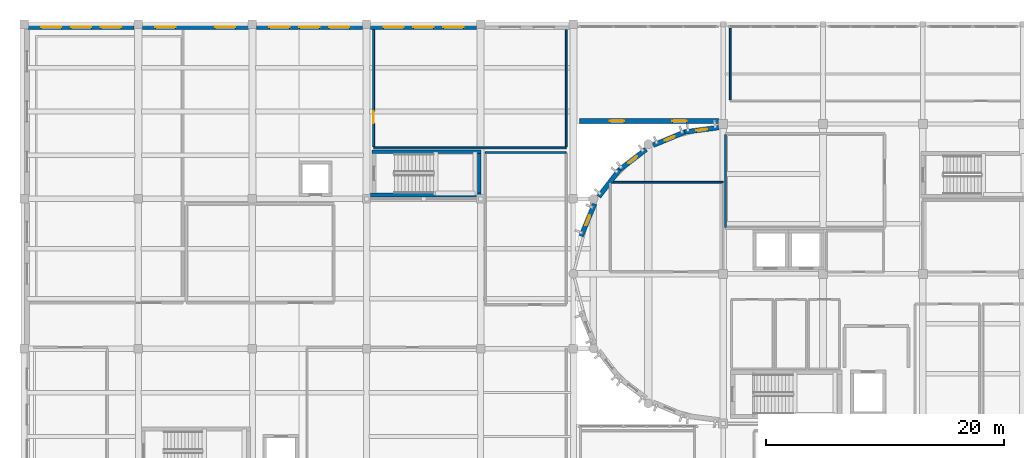
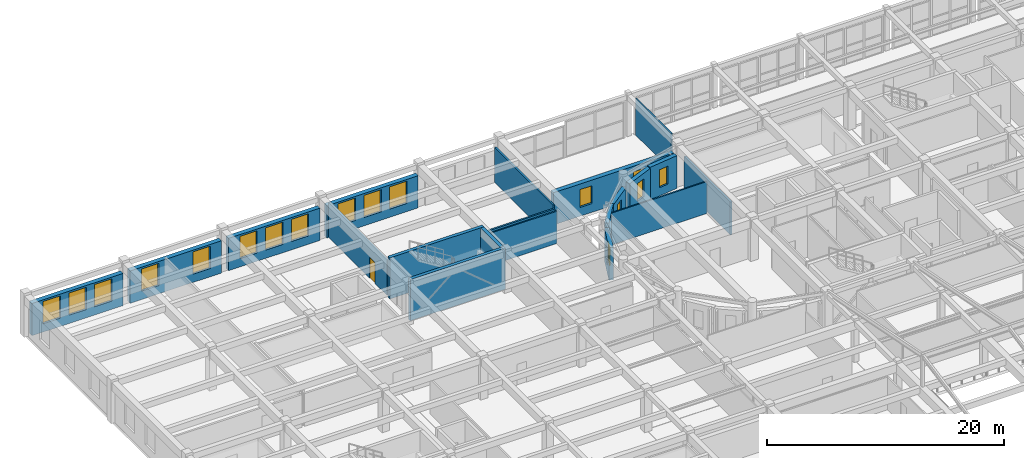
# One storey, part 69 of 91: 20 walls, 17 windows, 1 door, 18 openings.
"""IFC4 building model written with IfcOpenShell, lengths in metres."""

from ifc_helpers import new_model, si_unit, direction, frame, frame_2d, origin, place, context, subcontext, project, spatial, rectangle, extrude, material, layer, layer_set, type_object, element, fill, save


model = new_model("IFC4")

# Units and contexts
model_context = context("Model", 3, precision=1e-05, world=origin(), true_north=direction((0.0, 1.0)))
body_context = subcontext(model_context, "Body", "Model", "MODEL_VIEW")
ifc_project = project(units=[si_unit("LENGTHUNIT", "METRE"), si_unit("AREAUNIT", "SQUARE_METRE"), si_unit("VOLUMEUNIT", "CUBIC_METRE"), si_unit("PLANEANGLEUNIT", "RADIAN"), si_unit("MASSUNIT", "GRAM", prefix="KILO")], contexts=[model_context])

# Site, building, storey
site_placement = place(None, origin())
site = spatial("IfcSite", under=ifc_project, at=site_placement, CompositionType="ELEMENT")
building_placement = place(site_placement, origin())
building = spatial("IfcBuilding", under=site, at=building_placement, Name="Tarnavel Promenade Courthouse", CompositionType="ELEMENT")
storey_placement = place(building_placement, frame((0.0, 0.0, 9.89990234375)))
storey = spatial("IfcBuildingStorey", under=building, at=storey_placement, Name="L03", CompositionType="ELEMENT", Elevation=9.89990234375)

# Wall
ifc_material_1 = material(Name="Acoustic Insulated Gypsum Stud Partition", Category="gypsum")
ifc_layer_1 = layer(ifc_material_1, 0.1650390625)
ifc_layer_set_1 = layer_set([ifc_layer_1], Name="Acoustic Insulated Gypsum Stud Partition")
wall_type_1 = type_object("IfcWallType", Name="Acoustic Insulated Gypsum Stud Partition WL-CHM-165 (165 mm)", PredefinedType="PARTITIONING", material=ifc_layer_set_1)
wall_1_placement = place(storey_placement, frame((45.60009765625, 102.39990234375, 0.0), z_axis=(0.0, 0.0, 1.0), x_axis=(-1.0, 0.0, 0.0)))
element("IfcWall", 1, at=wall_1_placement, inside=storey, type_object=wall_type_1, Name="L03 Sequestered Jury Room Partition 0438", PredefinedType="PARTITIONING", context=body_context, shape_type="SweptSolid", body=[
    extrude(rectangle(XDim=16.2001953125, YDim=0.1650390625, at=frame_2d((8.10009765625, 0.0))), origin(), (0.0, 0.0, 1.0), 3.330078125),
])

# Wall, opening, door
wall_2_placement = place(storey_placement, frame((29.39990234375, 102.492431640625, 0.0), z_axis=(0.0, 0.0, 1.0), x_axis=(0.0, 1.0, 0.0)))
wall_2 = element("IfcWall", 2, at=wall_2_placement, inside=storey, type_object=wall_type_1, Name="L03 Sequestered Jury Room Partition 0439", PredefinedType="PARTITIONING", context=body_context, shape_type="SweptSolid", body=[
    extrude(rectangle(XDim=9.853515625, YDim=0.1650390625, at=frame_2d((4.9267578125, 0.0))), origin(), (0.0, 0.0, 1.0), 3.630126953125),
])
opening_1_placement = place(wall_2_placement, frame((1.980712890625, 0.0, 0.0)))
opening_1 = element("IfcOpeningElement", 3, at=opening_1_placement, cuts=wall_2, Name="Opening ID-03", PredefinedType="OPENING", context=body_context, shape_type="SweptSolid", body=[
    extrude(rectangle(XDim=1.0, YDim=2.14990234375, at=frame_2d((0.5, 1.074951171875))), frame((0.0, 0.092529296875, 0.0), z_axis=(0.0, -1.0, 0.0), x_axis=(1.0, 0.0, 0.0)), (0.0, 0.0, 1.0), 0.18505859375),
])
ifc_material_2 = material(Name="Acoustic Solid-Core Oak Jury Room Door")
door_type = type_object("IfcDoorType", Name="Acoustic Solid-Core Oak Jury Room Door (DR-JRY-1000x2150)", OperationType="NOTDEFINED", PredefinedType="DOOR", material=ifc_material_2)
door_placement = place(opening_1_placement, origin())
door = element("IfcDoor", 4, at=door_placement, inside=storey, type_object=door_type, Name="L03 Sequestered Jury Room Door 0125", OperationType="SINGLE_SWING_LEFT", OverallHeight=2.14990234375, OverallWidth=1.0, PredefinedType="DOOR", context=body_context, shape_type="SweptSolid", body=[
    extrude(rectangle(XDim=1.0, YDim=2.14990234375, at=frame_2d((0.5, 1.074951171875))), frame((0.0, 0.02490234375, 0.0), z_axis=(0.0, -1.0, 0.0), x_axis=(1.0, 0.0, 0.0)), (0.0, 0.0, 1.0), 0.050048828125),
])
fill(opening_1, door)

# Walls
wall_3_placement = place(storey_placement, frame((45.60009765625, 112.345947265625, 0.0), z_axis=(0.0, 0.0, 1.0), x_axis=(0.0, -1.0, 0.0)))
element("IfcWall", 5, at=wall_3_placement, inside=storey, type_object=wall_type_1, Name="L03 Sequestered Jury Room Partition 0440", PredefinedType="PARTITIONING", context=body_context, shape_type="SweptSolid", body=[
    extrude(rectangle(XDim=9.853515625, YDim=0.1650390625, at=frame_2d((4.9267578125, 0.0))), origin(), (0.0, 0.0, 1.0), 3.630126953125),
])
ifc_material_3 = material(Name="Concrete C40/50", Category="concrete")
ifc_layer_2 = layer(ifc_material_3, 0.320068359375)
ifc_layer_set_2 = layer_set([ifc_layer_2], Name="Concrete C40/50")
wall_type_2 = type_object("IfcWallType", Name="Concrete C40/50 WL-SHR-320 (320 mm)", PredefinedType="SHEAR", material=ifc_layer_set_2)
wall_4_placement = place(storey_placement, frame((29.260009765625, 102.06005859375, 0.0), z_axis=(0.0, 0.0, 1.0), x_axis=(1.0, 0.0, 0.0)))
element("IfcWall", 6, at=wall_4_placement, inside=storey, type_object=wall_type_2, Name="L03 ST-07 Shear Core North Wall", PredefinedType="SHEAR", context=body_context, shape_type="SweptSolid", body=[
    extrude(rectangle(XDim=9.179931640625, YDim=0.320068359375, at=frame_2d((4.58984375, 0.0))), origin(), (0.0, 0.0, 1.0), 4.25),
])
wall_5_placement = place(storey_placement, frame((38.43994140625, 98.419921875, 0.0), z_axis=(0.0, 0.0, 1.0), x_axis=(-1.0, 0.0, 0.0)))
element("IfcWall", 7, at=wall_5_placement, inside=storey, type_object=wall_type_2, Name="L03 ST-07 Shear Core South Wall", PredefinedType="SHEAR", context=body_context, shape_type="SweptSolid", body=[
    extrude(rectangle(XDim=9.2900390625, YDim=0.320068359375, at=frame_2d((4.64501953125, 0.0))), origin(), (0.0, 0.0, 1.0), 4.25),
])
wall_6_placement = place(storey_placement, frame((38.280029296875, 101.89990234375, 0.0), z_axis=(0.0, 0.0, 1.0), x_axis=(0.0, -1.0, 0.0)))
element("IfcWall", 8, at=wall_6_placement, inside=storey, type_object=wall_type_2, Name="L03 ST-07 Shear Core East Wall", PredefinedType="SHEAR", context=body_context, shape_type="SweptSolid", body=[
    extrude(rectangle(XDim=3.31982421875, YDim=0.320068359375, at=frame_2d((1.659912109375, 0.0))), origin(), (0.0, 0.0, 1.0), 4.25),
])
ifc_material_4 = material(Name="Double-Stud Acoustic Courtroom Partition Assembly", Category="gypsum")
ifc_layer_3 = layer(ifc_material_4, 0.18505859375)
ifc_layer_set_3 = layer_set([ifc_layer_3], Name="Double-Stud Acoustic Courtroom Partition Assembly")
wall_type_3 = type_object("IfcWallType", Name="Double-Stud Acoustic Courtroom Partition Assembly WL-CRT-185 (185 mm)", PredefinedType="PARTITIONING", material=ifc_layer_set_3)
wall_7_placement = place(storey_placement, frame((59.0, 95.702392578125, 0.0), z_axis=(0.0, 0.0, 1.0), x_axis=(0.0, 1.0, 0.0)))
element("IfcWall", 9, at=wall_7_placement, inside=storey, type_object=wall_type_3, Name="L03 High Criminal Hearing Courtroom Partition 0526", PredefinedType="PARTITIONING", context=body_context, shape_type="SweptSolid", body=[
    extrude(rectangle(XDim=7.795166015625, YDim=0.18505859375, at=frame_2d((3.8974609375, 0.0))), origin(), (0.0, 0.0, 1.0), 3.380126953125),
])

# Wall, openings, windows
ifc_material_5 = material(Name="Limestone Ashlar Faced Insulated Brick Masonry", Category="masonry")
ifc_layer_4 = layer(ifc_material_5, 0.43994140625)
ifc_layer_set_4 = layer_set([ifc_layer_4], Name="Limestone Ashlar Faced Insulated Brick Masonry")
wall_type_4 = type_object("IfcWallType", Name="Limestone Ashlar Faced Insulated Brick Masonry WL-EXT-440 (440 mm)", PredefinedType="STANDARD", material=ifc_layer_set_4)
wall_8_placement = place(storey_placement, frame((58.43310546875, 104.64990234375, 0.0), z_axis=(0.0, 0.0, 1.0), x_axis=(-1.0, 0.0, 0.0)))
wall_8 = element("IfcWall", 10, at=wall_8_placement, inside=storey, type_object=wall_type_4, Name="L03 North Foyer South Courtyard Return Wall 0057", PredefinedType="STANDARD", context=body_context, shape_type="SweptSolid", body=[
    extrude(rectangle(XDim=11.733154296875, YDim=0.43994140625, at=frame_2d((5.86669921875, 0.0))), origin(), (0.0, 0.0, 1.0), 3.330078125),
])
opening_2_placement = place(wall_8_placement, frame((2.7080078125, 0.0, 0.89990234375)))
opening_2 = element("IfcOpeningElement", 11, at=opening_2_placement, cuts=wall_8, Name="Opening W-05", PredefinedType="OPENING", context=body_context, shape_type="SweptSolid", body=[
    extrude(rectangle(XDim=1.199951171875, YDim=1.85009765625, at=frame_2d((0.60009765625, 0.925048828125))), frame((0.0, 0.22998046875, 0.0), z_axis=(0.0, -1.0, 0.0), x_axis=(1.0, 0.0, 0.0)), (0.0, 0.0, 1.0), 0.4599609375),
])
opening_3_placement = place(wall_8_placement, frame((7.9580078125, 0.0, 0.89990234375)))
opening_3 = element("IfcOpeningElement", 12, at=opening_3_placement, cuts=wall_8, Name="Opening W-05", PredefinedType="OPENING", context=body_context, shape_type="SweptSolid", body=[
    extrude(rectangle(XDim=1.199951171875, YDim=1.85009765625, at=frame_2d((0.60009765625, 0.925048828125))), frame((0.0, 0.22998046875, 0.0), z_axis=(0.0, -1.0, 0.0), x_axis=(1.0, 0.0, 0.0)), (0.0, 0.0, 1.0), 0.4599609375),
])
ifc_material_6 = material(Name="Triple Low-E Glazed Bronze-Clad Window Assembly")
window_type_1 = type_object("IfcWindowType", Name="Triple-Glazed Bronze-Clad Timber-Aluminium WIN-CHM-1200x1850", PartitioningType="SINGLE_PANEL", PredefinedType="WINDOW", material=ifc_material_6)
window_1_placement = place(opening_2_placement, origin())
window_1 = element("IfcWindow", 13, at=window_1_placement, inside=storey, type_object=window_type_1, Name="L03 Exterior Window 0032", OverallHeight=1.85009765625, OverallWidth=1.199951171875, PartitioningType="SINGLE_PANEL", PredefinedType="WINDOW", context=body_context, shape_type="SweptSolid", body=[
    extrude(rectangle(XDim=1.199951171875, YDim=1.85009765625, at=frame_2d((0.60009765625, 0.925048828125))), frame((0.0, 0.030029296875, 0.0), z_axis=(0.0, -1.0, 0.0), x_axis=(1.0, 0.0, 0.0)), (0.0, 0.0, 1.0), 0.06005859375),
])
fill(opening_2, window_1)
window_2_placement = place(opening_3_placement, origin())
window_2 = element("IfcWindow", 14, at=window_2_placement, inside=storey, type_object=window_type_1, Name="L03 Exterior Window 0033", OverallHeight=1.85009765625, OverallWidth=1.199951171875, PartitioningType="SINGLE_PANEL", PredefinedType="WINDOW", context=body_context, shape_type="SweptSolid", body=[
    extrude(rectangle(XDim=1.199951171875, YDim=1.85009765625, at=frame_2d((0.60009765625, 0.925048828125))), frame((0.0, 0.030029296875, 0.0), z_axis=(0.0, -1.0, 0.0), x_axis=(1.0, 0.0, 0.0)), (0.0, 0.0, 1.0), 0.06005859375),
])
fill(opening_3, window_2)

wall_9_placement = place(storey_placement, frame((0.342041015625, 112.56005859375, 0.0), z_axis=(0.0, 0.0, 1.0), x_axis=(1.0, 0.0, 0.0)))
wall_9 = element("IfcWall", 15, at=wall_9_placement, inside=storey, type_object=wall_type_4, Name="L03 Trial Wing North Ashlar Facade 0290", PredefinedType="STANDARD", context=body_context, shape_type="SweptSolid", body=[
    extrude(rectangle(XDim=8.916015625, YDim=0.43994140625, at=frame_2d((4.4580078125, 0.0))), origin(), (0.0, 0.0, 1.0), 3.330078125),
])
opening_4_placement = place(wall_9_placement, frame((1.0947265625, 0.0, 0.85009765625)))
opening_4 = element("IfcOpeningElement", 16, at=opening_4_placement, cuts=wall_9, Name="Opening W-01", PredefinedType="OPENING", context=body_context, shape_type="SweptSolid", body=[
    extrude(rectangle(XDim=1.699951171875, YDim=2.300048828125, at=frame_2d((0.85009765625, 1.14990234375))), frame((0.0, 0.22998046875, 0.0), z_axis=(0.0, -1.0, 0.0), x_axis=(1.0, 0.0, 0.0)), (0.0, 0.0, 1.0), 0.4599609375),
])
opening_5_placement = place(wall_9_placement, frame((3.60791015625, 0.0, 0.85009765625)))
opening_5 = element("IfcOpeningElement", 17, at=opening_5_placement, cuts=wall_9, Name="Opening W-01", PredefinedType="OPENING", context=body_context, shape_type="SweptSolid", body=[
    extrude(rectangle(XDim=1.699951171875, YDim=2.300048828125, at=frame_2d((0.85009765625, 1.14990234375))), frame((0.0, 0.22998046875, 0.0), z_axis=(0.0, -1.0, 0.0), x_axis=(1.0, 0.0, 0.0)), (0.0, 0.0, 1.0), 0.4599609375),
])
opening_6_placement = place(wall_9_placement, frame((6.121337890625, 0.0, 0.85009765625)))
opening_6 = element("IfcOpeningElement", 18, at=opening_6_placement, cuts=wall_9, Name="Opening W-01", PredefinedType="OPENING", context=body_context, shape_type="SweptSolid", body=[
    extrude(rectangle(XDim=1.699951171875, YDim=2.300048828125, at=frame_2d((0.85009765625, 1.14990234375))), frame((0.0, 0.22998046875, 0.0), z_axis=(0.0, -1.0, 0.0), x_axis=(1.0, 0.0, 0.0)), (0.0, 0.0, 1.0), 0.4599609375),
])
window_type_2 = type_object("IfcWindowType", Name="Triple-Glazed Bronze-Clad Timber-Aluminium WIN-CRT-1700x2300", PartitioningType="SINGLE_PANEL", PredefinedType="WINDOW", material=ifc_material_6)
window_3_placement = place(opening_4_placement, origin())
window_3 = element("IfcWindow", 19, at=window_3_placement, inside=storey, type_object=window_type_2, Name="L03 Exterior Window 0274", OverallHeight=2.300048828125, OverallWidth=1.699951171875, PartitioningType="SINGLE_PANEL", PredefinedType="WINDOW", context=body_context, shape_type="SweptSolid", body=[
    extrude(rectangle(XDim=1.699951171875, YDim=2.300048828125, at=frame_2d((0.85009765625, 1.14990234375))), frame((0.0, 0.030029296875, 0.0), z_axis=(0.0, -1.0, 0.0), x_axis=(1.0, 0.0, 0.0)), (0.0, 0.0, 1.0), 0.06005859375),
])
fill(opening_4, window_3)
window_4_placement = place(opening_5_placement, origin())
window_4 = element("IfcWindow", 20, at=window_4_placement, inside=storey, type_object=window_type_2, Name="L03 Exterior Window 0275", OverallHeight=2.300048828125, OverallWidth=1.699951171875, PartitioningType="SINGLE_PANEL", PredefinedType="WINDOW", context=body_context, shape_type="SweptSolid", body=[
    extrude(rectangle(XDim=1.699951171875, YDim=2.300048828125, at=frame_2d((0.85009765625, 1.14990234375))), frame((0.0, 0.030029296875, 0.0), z_axis=(0.0, -1.0, 0.0), x_axis=(1.0, 0.0, 0.0)), (0.0, 0.0, 1.0), 0.06005859375),
])
fill(opening_5, window_4)
window_5_placement = place(opening_6_placement, origin())
window_5 = element("IfcWindow", 21, at=window_5_placement, inside=storey, type_object=window_type_2, Name="L03 Exterior Window 0276", OverallHeight=2.300048828125, OverallWidth=1.699951171875, PartitioningType="SINGLE_PANEL", PredefinedType="WINDOW", context=body_context, shape_type="SweptSolid", body=[
    extrude(rectangle(XDim=1.699951171875, YDim=2.300048828125, at=frame_2d((0.85009765625, 1.14990234375))), frame((0.0, 0.030029296875, 0.0), z_axis=(0.0, -1.0, 0.0), x_axis=(1.0, 0.0, 0.0)), (0.0, 0.0, 1.0), 0.06005859375),
])
fill(opening_6, window_5)

wall_10_placement = place(storey_placement, frame((9.94189453125, 112.56005859375, 0.0), z_axis=(0.0, 0.0, 1.0), x_axis=(1.0, 0.0, 0.0)))
wall_10 = element("IfcWall", 22, at=wall_10_placement, inside=storey, type_object=wall_type_4, Name="L03 Trial Wing North Ashlar Facade 0291", PredefinedType="STANDARD", context=body_context, shape_type="SweptSolid", body=[
    extrude(rectangle(XDim=8.916015625, YDim=0.43994140625, at=frame_2d((4.4580078125, 0.0))), origin(), (0.0, 0.0, 1.0), 3.330078125),
])
opening_7_placement = place(wall_10_placement, frame((1.0947265625, 0.0, 0.85009765625)))
opening_7 = element("IfcOpeningElement", 23, at=opening_7_placement, cuts=wall_10, Name="Opening W-01", PredefinedType="OPENING", context=body_context, shape_type="SweptSolid", body=[
    extrude(rectangle(XDim=1.699951171875, YDim=2.300048828125, at=frame_2d((0.85009765625, 1.14990234375))), frame((0.0, 0.22998046875, 0.0), z_axis=(0.0, -1.0, 0.0), x_axis=(1.0, 0.0, 0.0)), (0.0, 0.0, 1.0), 0.4599609375),
])
opening_8_placement = place(wall_10_placement, frame((6.121337890625, 0.0, 0.85009765625)))
opening_8 = element("IfcOpeningElement", 24, at=opening_8_placement, cuts=wall_10, Name="Opening W-01", PredefinedType="OPENING", context=body_context, shape_type="SweptSolid", body=[
    extrude(rectangle(XDim=1.699951171875, YDim=2.300048828125, at=frame_2d((0.85009765625, 1.14990234375))), frame((0.0, 0.22998046875, 0.0), z_axis=(0.0, -1.0, 0.0), x_axis=(1.0, 0.0, 0.0)), (0.0, 0.0, 1.0), 0.4599609375),
])
window_6_placement = place(opening_7_placement, origin())
window_6 = element("IfcWindow", 25, at=window_6_placement, inside=storey, type_object=window_type_2, Name="L03 Exterior Window 0277", OverallHeight=2.300048828125, OverallWidth=1.699951171875, PartitioningType="SINGLE_PANEL", PredefinedType="WINDOW", context=body_context, shape_type="SweptSolid", body=[
    extrude(rectangle(XDim=1.699951171875, YDim=2.300048828125, at=frame_2d((0.85009765625, 1.14990234375))), frame((0.0, 0.030029296875, 0.0), z_axis=(0.0, -1.0, 0.0), x_axis=(1.0, 0.0, 0.0)), (0.0, 0.0, 1.0), 0.06005859375),
])
fill(opening_7, window_6)
window_7_placement = place(opening_8_placement, origin())
window_7 = element("IfcWindow", 26, at=window_7_placement, inside=storey, type_object=window_type_2, Name="L03 Exterior Window 0278", OverallHeight=2.300048828125, OverallWidth=1.699951171875, PartitioningType="SINGLE_PANEL", PredefinedType="WINDOW", context=body_context, shape_type="SweptSolid", body=[
    extrude(rectangle(XDim=1.699951171875, YDim=2.300048828125, at=frame_2d((0.85009765625, 1.14990234375))), frame((0.0, 0.030029296875, 0.0), z_axis=(0.0, -1.0, 0.0), x_axis=(1.0, 0.0, 0.0)), (0.0, 0.0, 1.0), 0.06005859375),
])
fill(opening_8, window_7)

wall_11_placement = place(storey_placement, frame((19.5419921875, 112.56005859375, 0.0), z_axis=(0.0, 0.0, 1.0), x_axis=(1.0, 0.0, 0.0)))
wall_11 = element("IfcWall", 27, at=wall_11_placement, inside=storey, type_object=wall_type_4, Name="L03 Trial Wing North Ashlar Facade 0292", PredefinedType="STANDARD", context=body_context, shape_type="SweptSolid", body=[
    extrude(rectangle(XDim=8.916015625, YDim=0.43994140625, at=frame_2d((4.4580078125, 0.0))), origin(), (0.0, 0.0, 1.0), 3.330078125),
])
opening_9_placement = place(wall_11_placement, frame((1.0947265625, 0.0, 0.85009765625)))
opening_9 = element("IfcOpeningElement", 28, at=opening_9_placement, cuts=wall_11, Name="Opening W-01", PredefinedType="OPENING", context=body_context, shape_type="SweptSolid", body=[
    extrude(rectangle(XDim=1.699951171875, YDim=2.300048828125, at=frame_2d((0.85009765625, 1.14990234375))), frame((0.0, 0.22998046875, 0.0), z_axis=(0.0, -1.0, 0.0), x_axis=(1.0, 0.0, 0.0)), (0.0, 0.0, 1.0), 0.4599609375),
])
opening_10_placement = place(wall_11_placement, frame((3.60791015625, 0.0, 0.85009765625)))
opening_10 = element("IfcOpeningElement", 29, at=opening_10_placement, cuts=wall_11, Name="Opening W-01", PredefinedType="OPENING", context=body_context, shape_type="SweptSolid", body=[
    extrude(rectangle(XDim=1.699951171875, YDim=2.300048828125, at=frame_2d((0.85009765625, 1.14990234375))), frame((0.0, 0.22998046875, 0.0), z_axis=(0.0, -1.0, 0.0), x_axis=(1.0, 0.0, 0.0)), (0.0, 0.0, 1.0), 0.4599609375),
])
opening_11_placement = place(wall_11_placement, frame((6.121337890625, 0.0, 0.85009765625)))
opening_11 = element("IfcOpeningElement", 30, at=opening_11_placement, cuts=wall_11, Name="Opening W-01", PredefinedType="OPENING", context=body_context, shape_type="SweptSolid", body=[
    extrude(rectangle(XDim=1.699951171875, YDim=2.300048828125, at=frame_2d((0.85009765625, 1.14990234375))), frame((0.0, 0.22998046875, 0.0), z_axis=(0.0, -1.0, 0.0), x_axis=(1.0, 0.0, 0.0)), (0.0, 0.0, 1.0), 0.4599609375),
])
window_8_placement = place(opening_9_placement, origin())
window_8 = element("IfcWindow", 31, at=window_8_placement, inside=storey, type_object=window_type_2, Name="L03 Exterior Window 0279", OverallHeight=2.300048828125, OverallWidth=1.699951171875, PartitioningType="SINGLE_PANEL", PredefinedType="WINDOW", context=body_context, shape_type="SweptSolid", body=[
    extrude(rectangle(XDim=1.699951171875, YDim=2.300048828125, at=frame_2d((0.85009765625, 1.14990234375))), frame((0.0, 0.030029296875, 0.0), z_axis=(0.0, -1.0, 0.0), x_axis=(1.0, 0.0, 0.0)), (0.0, 0.0, 1.0), 0.06005859375),
])
fill(opening_9, window_8)
window_9_placement = place(opening_10_placement, origin())
window_9 = element("IfcWindow", 32, at=window_9_placement, inside=storey, type_object=window_type_2, Name="L03 Exterior Window 0280", OverallHeight=2.300048828125, OverallWidth=1.699951171875, PartitioningType="SINGLE_PANEL", PredefinedType="WINDOW", context=body_context, shape_type="SweptSolid", body=[
    extrude(rectangle(XDim=1.699951171875, YDim=2.300048828125, at=frame_2d((0.85009765625, 1.14990234375))), frame((0.0, 0.030029296875, 0.0), z_axis=(0.0, -1.0, 0.0), x_axis=(1.0, 0.0, 0.0)), (0.0, 0.0, 1.0), 0.06005859375),
])
fill(opening_10, window_9)
window_10_placement = place(opening_11_placement, origin())
window_10 = element("IfcWindow", 33, at=window_10_placement, inside=storey, type_object=window_type_2, Name="L03 Exterior Window 0281", OverallHeight=2.300048828125, OverallWidth=1.699951171875, PartitioningType="SINGLE_PANEL", PredefinedType="WINDOW", context=body_context, shape_type="SweptSolid", body=[
    extrude(rectangle(XDim=1.699951171875, YDim=2.300048828125, at=frame_2d((0.85009765625, 1.14990234375))), frame((0.0, 0.030029296875, 0.0), z_axis=(0.0, -1.0, 0.0), x_axis=(1.0, 0.0, 0.0)), (0.0, 0.0, 1.0), 0.06005859375),
])
fill(opening_11, window_10)

wall_12_placement = place(storey_placement, frame((29.14208984375, 112.56005859375, 0.0), z_axis=(0.0, 0.0, 1.0), x_axis=(1.0, 0.0, 0.0)))
wall_12 = element("IfcWall", 34, at=wall_12_placement, inside=storey, type_object=wall_type_4, Name="L03 Trial Wing North Ashlar Facade 0293", PredefinedType="STANDARD", context=body_context, shape_type="SweptSolid", body=[
    extrude(rectangle(XDim=8.916015625, YDim=0.43994140625, at=frame_2d((4.4580078125, 0.0))), origin(), (0.0, 0.0, 1.0), 3.330078125),
])
opening_12_placement = place(wall_12_placement, frame((1.0947265625, 0.0, 0.85009765625)))
opening_12 = element("IfcOpeningElement", 35, at=opening_12_placement, cuts=wall_12, Name="Opening W-01", PredefinedType="OPENING", context=body_context, shape_type="SweptSolid", body=[
    extrude(rectangle(XDim=1.699951171875, YDim=2.300048828125, at=frame_2d((0.85009765625, 1.14990234375))), frame((0.0, 0.22998046875, 0.0), z_axis=(0.0, -1.0, 0.0), x_axis=(1.0, 0.0, 0.0)), (0.0, 0.0, 1.0), 0.4599609375),
])
opening_13_placement = place(wall_12_placement, frame((3.60791015625, 0.0, 0.85009765625)))
opening_13 = element("IfcOpeningElement", 36, at=opening_13_placement, cuts=wall_12, Name="Opening W-01", PredefinedType="OPENING", context=body_context, shape_type="SweptSolid", body=[
    extrude(rectangle(XDim=1.699951171875, YDim=2.300048828125, at=frame_2d((0.85009765625, 1.14990234375))), frame((0.0, 0.22998046875, 0.0), z_axis=(0.0, -1.0, 0.0), x_axis=(1.0, 0.0, 0.0)), (0.0, 0.0, 1.0), 0.4599609375),
])
opening_14_placement = place(wall_12_placement, frame((6.121337890625, 0.0, 0.85009765625)))
opening_14 = element("IfcOpeningElement", 37, at=opening_14_placement, cuts=wall_12, Name="Opening W-01", PredefinedType="OPENING", context=body_context, shape_type="SweptSolid", body=[
    extrude(rectangle(XDim=1.699951171875, YDim=2.300048828125, at=frame_2d((0.85009765625, 1.14990234375))), frame((0.0, 0.22998046875, 0.0), z_axis=(0.0, -1.0, 0.0), x_axis=(1.0, 0.0, 0.0)), (0.0, 0.0, 1.0), 0.4599609375),
])
window_11_placement = place(opening_12_placement, origin())
window_11 = element("IfcWindow", 38, at=window_11_placement, inside=storey, type_object=window_type_2, Name="L03 Exterior Window 0282", OverallHeight=2.300048828125, OverallWidth=1.699951171875, PartitioningType="SINGLE_PANEL", PredefinedType="WINDOW", context=body_context, shape_type="SweptSolid", body=[
    extrude(rectangle(XDim=1.699951171875, YDim=2.300048828125, at=frame_2d((0.85009765625, 1.14990234375))), frame((0.0, 0.030029296875, 0.0), z_axis=(0.0, -1.0, 0.0), x_axis=(1.0, 0.0, 0.0)), (0.0, 0.0, 1.0), 0.06005859375),
])
fill(opening_12, window_11)
window_12_placement = place(opening_13_placement, origin())
window_12 = element("IfcWindow", 39, at=window_12_placement, inside=storey, type_object=window_type_2, Name="L03 Exterior Window 0283", OverallHeight=2.300048828125, OverallWidth=1.699951171875, PartitioningType="SINGLE_PANEL", PredefinedType="WINDOW", context=body_context, shape_type="SweptSolid", body=[
    extrude(rectangle(XDim=1.699951171875, YDim=2.300048828125, at=frame_2d((0.85009765625, 1.14990234375))), frame((0.0, 0.030029296875, 0.0), z_axis=(0.0, -1.0, 0.0), x_axis=(1.0, 0.0, 0.0)), (0.0, 0.0, 1.0), 0.06005859375),
])
fill(opening_13, window_12)
window_13_placement = place(opening_14_placement, origin())
window_13 = element("IfcWindow", 40, at=window_13_placement, inside=storey, type_object=window_type_2, Name="L03 Exterior Window 0284", OverallHeight=2.300048828125, OverallWidth=1.699951171875, PartitioningType="SINGLE_PANEL", PredefinedType="WINDOW", context=body_context, shape_type="SweptSolid", body=[
    extrude(rectangle(XDim=1.699951171875, YDim=2.300048828125, at=frame_2d((0.85009765625, 1.14990234375))), frame((0.0, 0.030029296875, 0.0), z_axis=(0.0, -1.0, 0.0), x_axis=(1.0, 0.0, 0.0)), (0.0, 0.0, 1.0), 0.06005859375),
])
fill(opening_14, window_13)

# Walls
ifc_material_7 = material(Name="Metal-Stud Acoustic Gypsum Partition", Category="gypsum")
ifc_layer_5 = layer(ifc_material_7, 0.135009765625)
ifc_layer_set_5 = layer_set([ifc_layer_5], Name="Metal-Stud Acoustic Gypsum Partition")
wall_type_5 = type_object("IfcWallType", Name="Metal-Stud Acoustic Gypsum Partition WL-OFF-135 (135 mm)", PredefinedType="PARTITIONING", material=ifc_layer_set_5)
wall_13_placement = place(storey_placement, frame((38.800048828125, 102.0, 0.0), z_axis=(0.0, 0.0, 1.0), x_axis=(1.0, 0.0, 0.0)))
element("IfcWall", 41, at=wall_13_placement, inside=storey, type_object=wall_type_5, Name="L03 L03 Witness Waiting Room Partition 0441", PredefinedType="PARTITIONING", context=body_context, shape_type="SweptSolid", body=[
    extrude(rectangle(XDim=6.800048828125, YDim=0.135009765625, at=frame_2d((3.39990234375, 0.0))), origin(), (0.0, 0.0, 1.0), 3.330078125),
])
wall_14_placement = place(storey_placement, frame((59.39990234375, 106.427490234375, 0.0), z_axis=(0.0, 0.0, 1.0), x_axis=(0.0, 1.0, 0.0)))
element("IfcWall", 42, at=wall_14_placement, inside=storey, type_object=wall_type_5, Name="L03 Upper Balcony Case Management Clerks' Office Partition 0505", PredefinedType="PARTITIONING", context=body_context, shape_type="SweptSolid", body=[
    extrude(rectangle(XDim=6.0625, YDim=0.135009765625, at=frame_2d((3.03125, 0.0))), origin(), (0.0, 0.0, 1.0), 3.780029296875),
])
wall_15_placement = place(storey_placement, frame((49.300048828125, 99.5, 0.0), z_axis=(0.0, 0.0, 1.0), x_axis=(1.0, 0.0, 0.0)))
element("IfcWall", 43, at=wall_15_placement, inside=storey, type_object=wall_type_5, Name="L03 L03 West Drum Rotunda Meeting North Partition 0548", PredefinedType="PARTITIONING", context=body_context, shape_type="SweptSolid", body=[
    extrude(rectangle(XDim=9.5, YDim=0.135009765625, at=frame_2d((4.75, 0.0))), origin(), (0.0, 0.0, 1.0), 3.280029296875),
])

# Wall, opening, window
ifc_material_8 = material(Name="Patinated Copper-Bronze Insulated Drum Wall Assembly", Category="masonry")
ifc_layer_6 = layer(ifc_material_8, 0.39501953125)
ifc_layer_set_6 = layer_set([ifc_layer_6], Name="Patinated Copper-Bronze Insulated Drum Wall Assembly")
wall_type_6 = type_object("IfcWallType", Name="Patinated Copper-Bronze Insulated Drum Wall Assembly WL-DRUM-395 (395 mm)", PredefinedType="ELEMENTEDWALL", material=ifc_layer_set_6)
wall_16_placement = place(storey_placement, frame((58.421142578125, 104.097900390625, 0.0), z_axis=(0.0, 0.0, 1.0), x_axis=(-0.991451982445, -0.130472090904, 0.0)))
wall_16 = element("IfcWall", 44, at=wall_16_placement, inside=storey, type_object=wall_type_6, Name="L03 W Copper Drum Chord Wall 01 0059", PredefinedType="ELEMENTEDWALL", context=body_context, shape_type="SweptSolid", body=[
    extrude(rectangle(XDim=2.874267578125, YDim=0.39501953125, at=frame_2d((1.43701171875, 0.0))), origin(), (0.0, 0.0, 1.0), 3.380126953125),
])
opening_15_placement = place(wall_16_placement, frame((0.987060546875, 0.0, 0.85009765625)))
opening_15 = element("IfcOpeningElement", 45, at=opening_15_placement, cuts=wall_16, Name="Opening W-08", PredefinedType="OPENING", context=body_context, shape_type="SweptSolid", body=[
    extrude(rectangle(XDim=0.89990234375, YDim=1.85009765625, at=frame_2d((0.449951171875, 0.925048828125))), frame((0.0, 0.20751953125, 0.0), z_axis=(0.0, -1.0, 0.0), x_axis=(1.0, 0.0, 0.0)), (0.0, 0.0, 1.0), 0.4150390625),
])
window_type_3 = type_object("IfcWindowType", Name="Triple-Glazed Bronze-Clad Timber-Aluminium WIN-DRM-0900x1850", PartitioningType="SINGLE_PANEL", PredefinedType="WINDOW", material=ifc_material_6)
window_14_placement = place(opening_15_placement, origin())
window_14 = element("IfcWindow", 46, at=window_14_placement, inside=storey, type_object=window_type_3, Name="L03 Exterior Window 0035", OverallHeight=1.85009765625, OverallWidth=0.89990234375, PartitioningType="SINGLE_PANEL", PredefinedType="WINDOW", context=body_context, shape_type="SweptSolid", body=[
    extrude(rectangle(XDim=0.89990234375, YDim=1.85009765625, at=frame_2d((0.449951171875, 0.925048828125))), frame((0.0, 0.030029296875, 0.0), z_axis=(0.0, -1.0, 0.0), x_axis=(1.0, 0.0, 0.0)), (0.0, 0.0, 1.0), 0.06005859375),
])
fill(opening_15, window_14)

wall_17_placement = place(storey_placement, frame((55.634521484375, 103.73974609375, 0.0), z_axis=(0.0, 0.0, 1.0), x_axis=(-0.923871445027, -0.382702956696, 0.0)))
wall_17 = element("IfcWall", 47, at=wall_17_placement, inside=storey, type_object=wall_type_6, Name="L03 W Copper Drum Chord Wall 02 0060", PredefinedType="ELEMENTEDWALL", context=body_context, shape_type="SweptSolid", body=[
    extrude(rectangle(XDim=2.947265625, YDim=0.39501953125, at=frame_2d((1.4736328125, 0.0))), origin(), (0.0, 0.0, 1.0), 3.280029296875),
])
opening_16_placement = place(wall_17_placement, frame((0.987060546875, 0.0, 0.85009765625)))
opening_16 = element("IfcOpeningElement", 48, at=opening_16_placement, cuts=wall_17, Name="Opening W-08", PredefinedType="OPENING", context=body_context, shape_type="SweptSolid", body=[
    extrude(rectangle(XDim=0.89990234375, YDim=1.85009765625, at=frame_2d((0.449951171875, 0.925048828125))), frame((0.0, 0.20751953125, 0.0), z_axis=(0.0, -1.0, 0.0), x_axis=(1.0, 0.0, 0.0)), (0.0, 0.0, 1.0), 0.4150390625),
])
window_15_placement = place(opening_16_placement, origin())
window_15 = element("IfcWindow", 49, at=window_15_placement, inside=storey, type_object=window_type_3, Name="L03 Exterior Window 0036", OverallHeight=1.85009765625, OverallWidth=0.89990234375, PartitioningType="SINGLE_PANEL", PredefinedType="WINDOW", context=body_context, shape_type="SweptSolid", body=[
    extrude(rectangle(XDim=0.89990234375, YDim=1.85009765625, at=frame_2d((0.449951171875, 0.925048828125))), frame((0.0, 0.030029296875, 0.0), z_axis=(0.0, -1.0, 0.0), x_axis=(1.0, 0.0, 0.0)), (0.0, 0.0, 1.0), 0.06005859375),
])
fill(opening_16, window_15)

wall_18_placement = place(storey_placement, frame((52.322998046875, 102.260986328125, 0.0), z_axis=(0.0, 0.0, 1.0), x_axis=(-0.793346533164, -0.608770300127, 0.0)))
wall_18 = element("IfcWall", 50, at=wall_18_placement, inside=storey, type_object=wall_type_6, Name="L03 W Copper Drum Chord Wall 03 0061", PredefinedType="ELEMENTEDWALL", context=body_context, shape_type="SweptSolid", body=[
    extrude(rectangle(XDim=2.874267578125, YDim=0.39501953125, at=frame_2d((1.43701171875, 0.0))), origin(), (0.0, 0.0, 1.0), 3.280029296875),
])
opening_17_placement = place(wall_18_placement, frame((0.987060546875, 0.0, 0.85009765625)))
opening_17 = element("IfcOpeningElement", 51, at=opening_17_placement, cuts=wall_18, Name="Opening W-08", PredefinedType="OPENING", context=body_context, shape_type="SweptSolid", body=[
    extrude(rectangle(XDim=0.89990234375, YDim=1.85009765625, at=frame_2d((0.449951171875, 0.925048828125))), frame((0.0, 0.20751953125, 0.0), z_axis=(0.0, -1.0, 0.0), x_axis=(1.0, 0.0, 0.0)), (0.0, 0.0, 1.0), 0.4150390625),
])
window_16_placement = place(opening_17_placement, origin())
window_16 = element("IfcWindow", 52, at=window_16_placement, inside=storey, type_object=window_type_3, Name="L03 Exterior Window 0037", OverallHeight=1.85009765625, OverallWidth=0.89990234375, PartitioningType="SINGLE_PANEL", PredefinedType="WINDOW", context=body_context, shape_type="SweptSolid", body=[
    extrude(rectangle(XDim=0.89990234375, YDim=1.85009765625, at=frame_2d((0.449951171875, 0.925048828125))), frame((0.0, 0.030029296875, 0.0), z_axis=(0.0, -1.0, 0.0), x_axis=(1.0, 0.0, 0.0)), (0.0, 0.0, 1.0), 0.06005859375),
])
fill(opening_17, window_16)

# Wall
wall_19_placement = place(storey_placement, frame((50.0888671875, 100.557373046875, 0.0), z_axis=(0.0, 0.0, 1.0), x_axis=(-0.608770300127, -0.793346533164, 0.0)))
element("IfcWall", 53, at=wall_19_placement, inside=storey, type_object=wall_type_6, Name="L03 W Copper Drum Chord Wall 04 0062", PredefinedType="ELEMENTEDWALL", context=body_context, shape_type="SweptSolid", body=[
    extrude(rectangle(XDim=2.874267578125, YDim=0.39501953125, at=frame_2d((1.43701171875, 0.0))), origin(), (0.0, 0.0, 1.0), 3.380126953125),
])

# Wall, opening, window
wall_20_placement = place(storey_placement, frame((47.988037109375, 97.688232421875, 0.0), z_axis=(0.0, 0.0, 1.0), x_axis=(-0.382661536235, -0.923888601881, 0.0)))
wall_20 = element("IfcWall", 54, at=wall_20_placement, inside=storey, type_object=wall_type_6, Name="L03 W Copper Drum Chord Wall 05 0063", PredefinedType="ELEMENTEDWALL", context=body_context, shape_type="SweptSolid", body=[
    extrude(rectangle(XDim=2.947021484375, YDim=0.39501953125, at=frame_2d((1.4736328125, 0.0))), origin(), (0.0, 0.0, 1.0), 3.380126953125),
])
opening_18_placement = place(wall_20_placement, frame((1.06005859375, 0.0, 0.85009765625)))
opening_18 = element("IfcOpeningElement", 55, at=opening_18_placement, cuts=wall_20, Name="Opening W-08", PredefinedType="OPENING", context=body_context, shape_type="SweptSolid", body=[
    extrude(rectangle(XDim=0.89990234375, YDim=1.85009765625, at=frame_2d((0.449951171875, 0.925048828125))), frame((0.0, 0.20751953125, 0.0), z_axis=(0.0, -1.0, 0.0), x_axis=(1.0, 0.0, 0.0)), (0.0, 0.0, 1.0), 0.4150390625),
])
window_17_placement = place(opening_18_placement, origin())
window_17 = element("IfcWindow", 56, at=window_17_placement, inside=storey, type_object=window_type_3, Name="L03 Exterior Window 0038", OverallHeight=1.85009765625, OverallWidth=0.89990234375, PartitioningType="SINGLE_PANEL", PredefinedType="WINDOW", context=body_context, shape_type="SweptSolid", body=[
    extrude(rectangle(XDim=0.89990234375, YDim=1.85009765625, at=frame_2d((0.449951171875, 0.925048828125))), frame((0.0, 0.030029296875, 0.0), z_axis=(0.0, -1.0, 0.0), x_axis=(1.0, 0.0, 0.0)), (0.0, 0.0, 1.0), 0.06005859375),
])
fill(opening_18, window_17)

save(model, "model.ifc")
